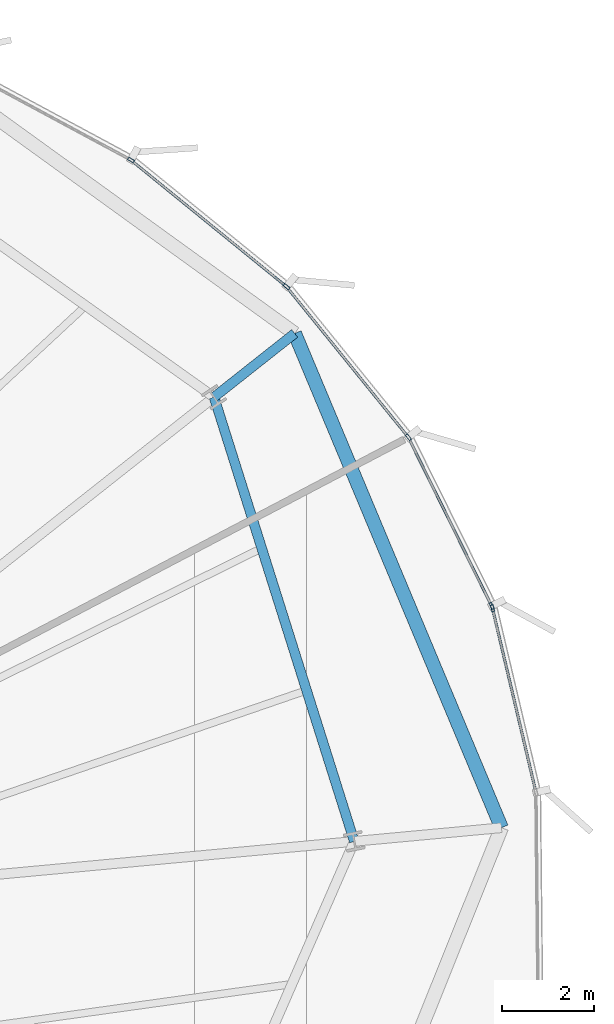
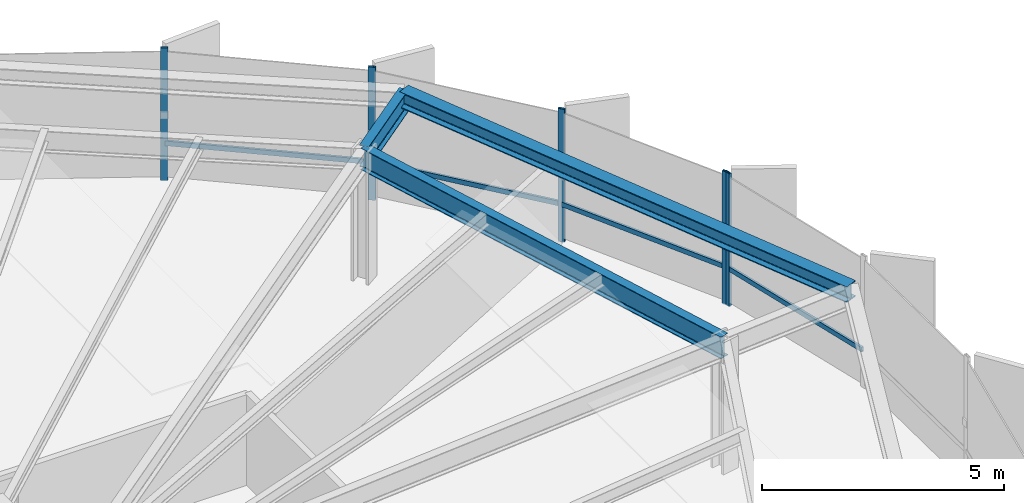
# One storey, part 24 of 33: 9 members, 3 beams, 2 elements without a shape of their own.
"""IFC4 building model written with IfcOpenShell, lengths in metres."""

from ifc_helpers import new_model, si_unit, direction, frame, origin, origin_2d, place, context, subcontext, project, spatial, hollow_rectangle, i_section, extrude, source, transform, mapped, material, layer, layer_set, material_profile, profile_set, type_object, element, aggregate, save


model = new_model("IFC4")

# Units and contexts
model_context = context("Model", 3, precision=1e-05, world=origin(), true_north=direction((0.0, 1.0)))
body_context = subcontext(model_context, "Body", "Model", "MODEL_VIEW")
ifc_project = project(units=[si_unit("LENGTHUNIT", "METRE"), si_unit("AREAUNIT", "SQUARE_METRE"), si_unit("VOLUMEUNIT", "CUBIC_METRE"), si_unit("PLANEANGLEUNIT", "RADIAN"), si_unit("MASSUNIT", "GRAM", prefix="KILO"), si_unit("THERMODYNAMICTEMPERATUREUNIT", "KELVIN")], contexts=[model_context])

# Site, building, storey
site_placement = place(None, origin())
site = spatial("IfcSite", under=ifc_project, at=site_placement, CompositionType="ELEMENT")
building_placement = place(site_placement, origin())
building = spatial("IfcBuilding", under=site, at=building_placement, Name="Kethvar Cultural Tower", CompositionType="ELEMENT")
storey_placement = place(building_placement, frame((0.0, 0.0, 114.39990234375)))
storey = spatial("IfcBuildingStorey", under=building, at=storey_placement, Name="L28", CompositionType="ELEMENT", Elevation=114.39990234375)

# Beams
ifc_material_1 = material(Name="Steel S355J2", Category="steel")
ifc_material_profile_1 = material_profile(ifc_material_1, i_section(OverallWidth=0.2099609375, OverallDepth=0.550048828125, WebThickness=0.010986328125, FlangeThickness=0.01708984375, FilletRadius=0.02392578125, at=origin_2d()), Name="Steel S355J2 — IPE550")
ifc_profile_set_1 = profile_set([ifc_material_profile_1], Name="Steel S355J2 — IPE550")
beam_type_1 = type_object("IfcBeamType", Name="BM-IPE550", PredefinedType="BEAM", material=ifc_profile_set_1)
shared_shape_1 = source(origin(), body_context, "Body", "SweptSolid", [
    extrude(i_section(OverallWidth=0.2099609375, OverallDepth=0.550048828125, WebThickness=0.010986328125, FlangeThickness=0.01708984375, FilletRadius=0.02392578125, at=origin_2d()), origin(), (0.0, 0.0, 1.0), 10.079345703125),
])
beam_1_placement = place(storey_placement, frame((71.6025390625, 32.7333984375, 3.072998046875), z_axis=(-0.301007326566, 0.953621827222, 0.0), x_axis=(-0.953621827222, -0.301007326566, 0.0)))
element("IfcBeam", 1, at=beam_1_placement, inside=storey, type_object=beam_type_1, Name="L28 Column Ring Tie Beam CR-01", PredefinedType="BEAM", context=body_context, shape_type="MappedRepresentation", body=[
    mapped(shared_shape_1, transform((0.0, 0.0, 0.0), scale=1.0)),
])
shared_shape_2 = source(origin(), body_context, "Body", "SweptSolid", [
    extrude(i_section(OverallWidth=0.2099609375, OverallDepth=0.550048828125, WebThickness=0.010986328125, FlangeThickness=0.01708984375, FilletRadius=0.02392578125, at=origin_2d()), origin(), (0.0, 0.0, 1.0), 2.223876953125),
])
beam_2_placement = place(storey_placement, frame((68.568603515625, 42.34521484375, 3.072998046875), z_axis=(0.784635405123, 0.619957483242, 0.0), x_axis=(-0.619957483242, 0.784635405123, 0.0)))
element("IfcBeam", 2, at=beam_2_placement, inside=storey, type_object=beam_type_1, Name="L28 Perimeter Cantilever Beam RC-02", PredefinedType="BEAM", context=body_context, shape_type="MappedRepresentation", body=[
    mapped(shared_shape_2, transform((0.0, 0.0, 0.0), scale=1.0)),
])
ifc_material_profile_2 = material_profile(ifc_material_1, i_section(OverallWidth=0.300048828125, OverallDepth=0.39990234375, WebThickness=0.013427734375, FlangeThickness=0.02392578125, FilletRadius=0.027099609375, at=origin_2d()), Name="Steel S355J2 — HEB400")
ifc_profile_set_2 = profile_set([ifc_material_profile_2], Name="Steel S355J2 — HEB400")
beam_type_2 = type_object("IfcBeamType", Name="BM-SP400", PredefinedType="SPANDREL", material=ifc_profile_set_2)
shared_shape_3 = source(origin(), body_context, "Body", "SweptSolid", [
    extrude(i_section(OverallWidth=0.300048828125, OverallDepth=0.39990234375, WebThickness=0.013427734375, FlangeThickness=0.02392578125, FilletRadius=0.027099609375, at=origin_2d()), origin(), (0.0, 0.0, 1.0), 11.59375),
])
beam_3_placement = place(storey_placement, frame((74.788818359375, 33.02880859375, 3.148193359375), z_axis=(-0.386015990416, 0.922492089475, 0.0), x_axis=(-0.922492089475, -0.386015990416, 0.0)))
element("IfcBeam", 3, at=beam_3_placement, inside=storey, type_object=beam_type_2, Name="L28 Perimeter Spandrel Beam SP-01", PredefinedType="SPANDREL", context=body_context, shape_type="MappedRepresentation", body=[
    mapped(shared_shape_3, transform((0.0, 0.0, 0.0), scale=1.0)),
])

# Curtain wall, members
ifc_material_2 = material(Name="Aluminium 6063-T6", Category="aluminium")
ifc_layer = layer(ifc_material_2, 0.179931640625, Name="Aluminium 6063-T6", Category="aluminium")
ifc_layer_set = layer_set([ifc_layer], Name="Aluminium 6063-T6 (180 mm)")
curtain_wall_type = type_object("IfcCurtainWallType", Name="CW-SYS-03-Z2", PredefinedType="NOTDEFINED", material=ifc_layer_set)
curtain_wall_1_placement = place(storey_placement, origin())
curtain_wall_1 = element("IfcCurtainWall", 4, at=curtain_wall_1_placement, inside=storey, type_object=curtain_wall_type, Name="L28 Curtain Wall Run 01", PredefinedType="NOTDEFINED")
ifc_material_profile_3 = material_profile(ifc_material_2, hollow_rectangle(XDim=0.06005859375, YDim=0.14990234375, WallThickness=0.0048828125, at=origin_2d()), Name="Aluminium 6063-T6 — RHS150x60x5")
ifc_profile_set_3 = profile_set([ifc_material_profile_3], Name="Aluminium 6063-T6 — RHS150x60x5")
member_type_1 = type_object("IfcMemberType", Name="CW-SYS-03-Z2-MUL", PredefinedType="MULLION", material=ifc_profile_set_3)
shared_shape_4 = source(origin(), body_context, "Body", "SweptSolid", [
    extrude(hollow_rectangle(XDim=0.06005859375, YDim=0.14990234375, WallThickness=0.0048828125, at=origin_2d()), origin(), (0.0, 0.0, 1.0), 3.35009765625),
])
member_1_placement = place(storey_placement, frame((74.575439453125, 37.8271484375, 0.0), z_axis=(0.0, 0.0, 1.0), x_axis=(-0.896432292335, -0.443180713997, 0.0)))
member_1 = element("IfcMember", 5, at=member_1_placement, type_object=member_type_1, Name="CW-L28-R01 Mullion 1", PredefinedType="MULLION", context=body_context, shape_type="MappedRepresentation", body=[
    mapped(shared_shape_4, transform((0.0, 0.0, 0.0), scale=1.0)),
])
member_2_placement = place(storey_placement, frame((72.774658203125, 41.47607421875, 0.0), z_axis=(0.0, 0.0, 1.0), x_axis=(-0.777134977626, -0.62933395471, 0.0)))
member_2 = element("IfcMember", 6, at=member_2_placement, type_object=member_type_1, Name="CW-L28-R01 Mullion 2", PredefinedType="MULLION", context=body_context, shape_type="MappedRepresentation", body=[
    mapped(shared_shape_4, transform((0.0, 0.0, 0.0), scale=1.0)),
])
member_3_placement = place(storey_placement, frame((70.137939453125, 44.73583984375, 0.0), z_axis=(0.0, 0.0, 1.0), x_axis=(-0.631014361508, -0.775771148967, 0.0)))
member_3 = element("IfcMember", 7, at=member_3_placement, type_object=member_type_1, Name="CW-L28-R01 Mullion 3", PredefinedType="MULLION", context=body_context, shape_type="MappedRepresentation", body=[
    mapped(shared_shape_4, transform((0.0, 0.0, 0.0), scale=1.0)),
])
member_4_placement = place(storey_placement, frame((66.77197265625, 47.476318359375, 0.0), z_axis=(0.0, 0.0, 1.0), x_axis=(-0.473811575538, -0.88062624926, 0.0)))
member_4 = element("IfcMember", 8, at=member_4_placement, type_object=member_type_1, Name="CW-L28-R01 Mullion 4", PredefinedType="MULLION", context=body_context, shape_type="MappedRepresentation", body=[
    mapped(shared_shape_4, transform((0.0, 0.0, 0.0), scale=1.0)),
])

# Curtain wall, member
curtain_wall_2_placement = place(storey_placement, origin())
curtain_wall_2 = element("IfcCurtainWall", 9, at=curtain_wall_2_placement, inside=storey, type_object=curtain_wall_type, Name="L28 Curtain Wall Run 06", PredefinedType="NOTDEFINED")
member_5_placement = place(storey_placement, frame((74.593017578125, 37.77880859375, 0.0), z_axis=(0.0, 0.0, 1.0), x_axis=(-0.973202958193, -0.229947824874, 0.0)))
member_5 = element("IfcMember", 10, at=member_5_placement, type_object=member_type_1, Name="CW-L28-R06 Mullion 7", PredefinedType="MULLION", context=body_context, shape_type="MappedRepresentation", body=[
    mapped(shared_shape_4, transform((0.0, 0.0, 0.0), scale=1.0)),
])

# Member
ifc_material_profile_4 = material_profile(ifc_material_2, hollow_rectangle(XDim=0.054931640625, YDim=0.1201171875, WallThickness=0.00390625, at=origin_2d()), Name="Aluminium 6063-T6 — RHS120x55x4")
ifc_profile_set_4 = profile_set([ifc_material_profile_4], Name="Aluminium 6063-T6 — RHS120x55x4")
member_type_2 = type_object("IfcMemberType", Name="CW-SYS-03-Z2-TRN", PredefinedType="USERDEFINED", material=ifc_profile_set_4)
shared_shape_5 = source(origin(), body_context, "Body", "SweptSolid", [
    extrude(hollow_rectangle(XDim=0.054931640625, YDim=0.1201171875, WallThickness=0.00390625, at=origin_2d()), origin(), (0.0, 0.0, 1.0), 4.047119140625),
])
member_6_placement = place(storey_placement, frame((74.57373046875, 37.830810546875, 0.9501953125), z_axis=(-0.443155092073, 0.896444958918, 0.0), x_axis=(-0.896444958918, -0.443155092073, 0.0)))
member_6 = element("IfcMember", 11, at=member_6_placement, type_object=member_type_2, Name="CW-L28-R01 Transom 1", ObjectType="TRANSOM", PredefinedType="USERDEFINED", context=body_context, shape_type="MappedRepresentation", body=[
    mapped(shared_shape_5, transform((0.0, 0.0, 0.0), scale=1.0)),
])

shared_shape_6 = source(origin(), body_context, "Body", "SweptSolid", [
    extrude(hollow_rectangle(XDim=0.054931640625, YDim=0.1201171875, WallThickness=0.00390625, at=origin_2d()), origin(), (0.0, 0.0, 1.0), 4.130126953125),
])
member_7_placement = place(storey_placement, frame((72.74755859375, 41.509521484375, 0.9501953125), z_axis=(-0.629312155266, 0.777152630591, 0.0), x_axis=(-0.777152630591, -0.629312155266, 0.0)))
member_7 = element("IfcMember", 12, at=member_7_placement, type_object=member_type_2, Name="CW-L28-R01 Transom 2", ObjectType="TRANSOM", PredefinedType="USERDEFINED", context=body_context, shape_type="MappedRepresentation", body=[
    mapped(shared_shape_6, transform((0.0, 0.0, 0.0), scale=1.0)),
])

shared_shape_7 = source(origin(), body_context, "Body", "SweptSolid", [
    extrude(hollow_rectangle(XDim=0.054931640625, YDim=0.1201171875, WallThickness=0.00390625, at=origin_2d()), origin(), (0.0, 0.0, 1.0), 4.27587890625),
])
member_8_placement = place(storey_placement, frame((70.1044921875, 44.76318359375, 0.9501953125), z_axis=(-0.775790790619, 0.630990213228, 0.0), x_axis=(-0.630990213228, -0.775790790619, 0.0)))
member_8 = element("IfcMember", 13, at=member_8_placement, type_object=member_type_2, Name="CW-L28-R01 Transom 3", ObjectType="TRANSOM", PredefinedType="USERDEFINED", context=body_context, shape_type="MappedRepresentation", body=[
    mapped(shared_shape_7, transform((0.0, 0.0, 0.0), scale=1.0)),
])

aggregate(curtain_wall_1, [member_1, member_2, member_3, member_4, member_6, member_7, member_8])

shared_shape_8 = source(origin(), body_context, "Body", "SweptSolid", [
    extrude(hollow_rectangle(XDim=0.054931640625, YDim=0.1201171875, WallThickness=0.00390625, at=origin_2d()), origin(), (0.0, 0.0, 1.0), 4.046875),
])
member_9_placement = place(storey_placement, frame((75.5244140625, 33.836181640625, 0.9501953125), z_axis=(-0.229910141527, 0.973211861222, 0.0), x_axis=(-0.973211861222, -0.229910141527, 0.0)))
member_9 = element("IfcMember", 14, at=member_9_placement, type_object=member_type_2, Name="CW-L28-R06 Transom 6", ObjectType="TRANSOM", PredefinedType="USERDEFINED", context=body_context, shape_type="MappedRepresentation", body=[
    mapped(shared_shape_8, transform((0.0, 0.0, 0.0), scale=1.0)),
])

aggregate(curtain_wall_2, [member_5, member_9])

save(model, "model.ifc")
